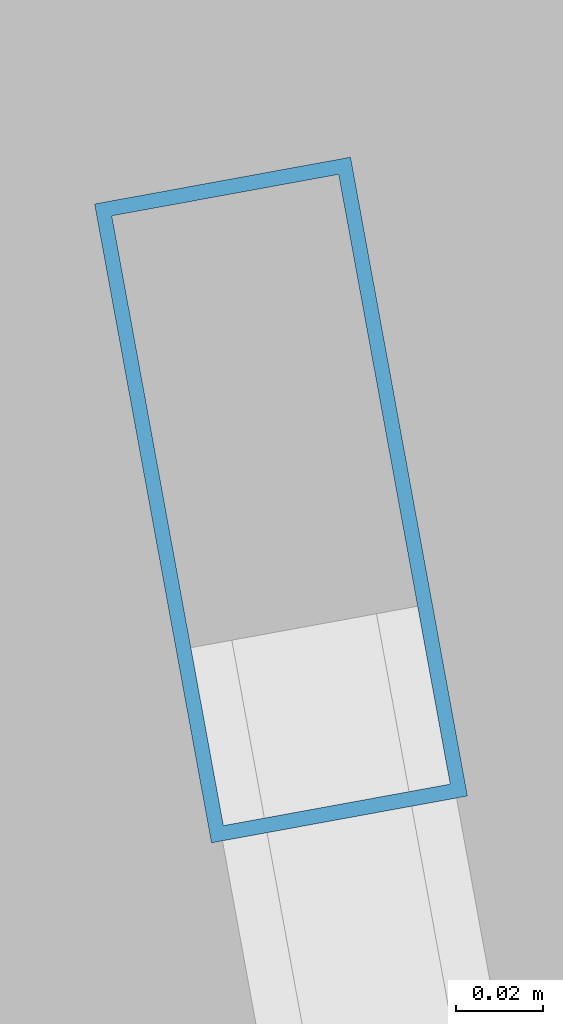
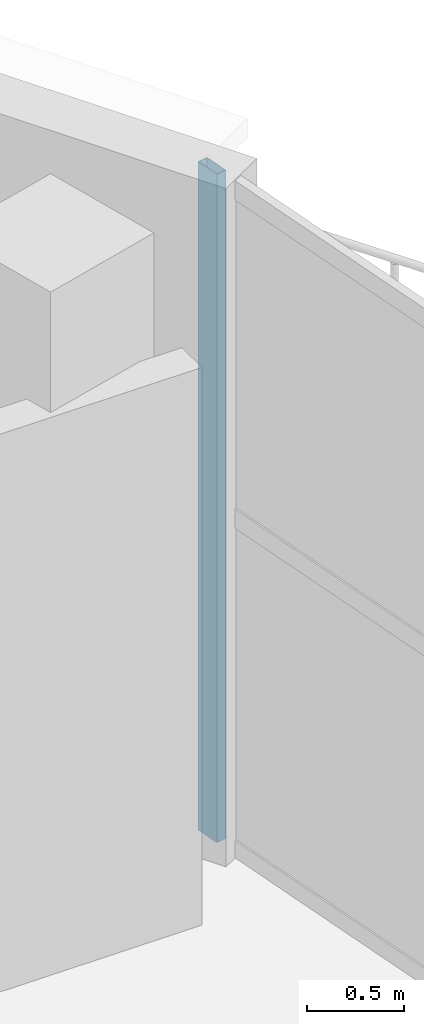
# One storey, part 57 of 107: 1 member, 1 element without a shape of its own.
"""IFC4 building model written with IfcOpenShell, lengths in metres."""

from ifc_helpers import new_model, si_unit, direction, frame, origin, origin_2d, place, context, subcontext, project, spatial, hollow_rectangle, extrude, material, layer, layer_set, material_profile, profile_set, type_object, element, aggregate, save


model = new_model("IFC4")

# Units and contexts
model_context = context("Model", 3, precision=1e-05, world=origin(), true_north=direction((0.0, 1.0)))
body_context = subcontext(model_context, "Body", "Model", "MODEL_VIEW")
ifc_project = project(units=[si_unit("LENGTHUNIT", "METRE"), si_unit("AREAUNIT", "SQUARE_METRE"), si_unit("VOLUMEUNIT", "CUBIC_METRE"), si_unit("PLANEANGLEUNIT", "RADIAN"), si_unit("MASSUNIT", "GRAM", prefix="KILO")], contexts=[model_context])

# Site, building, storey
site_placement = place(None, origin())
site = spatial("IfcSite", under=ifc_project, at=site_placement, CompositionType="ELEMENT")
building_placement = place(site_placement, origin())
building = spatial("IfcBuilding", under=site, at=building_placement, Name="Kalgoora Escarpment Arena", CompositionType="ELEMENT")
storey_placement = place(building_placement, frame((0.0, 0.0, 5.39990234375)))
storey = spatial("IfcBuildingStorey", under=building, at=storey_placement, Name="L01", CompositionType="ELEMENT", Elevation=5.39990234375)

# Curtain wall, member
ifc_material_1 = material(Name=" Champagne anodised aluminium & double-glazed low-E", Category="aluminium")
ifc_layer = layer(ifc_material_1, 0.166015625)
ifc_layer_set = layer_set([ifc_layer], Name="CW-UNIT-14")
curtain_wall_type = type_object("IfcCurtainWallType", Name="CW-UNIT-14", PredefinedType="NOTDEFINED", material=ifc_layer_set)
curtain_wall_placement = place(storey_placement, origin())
curtain_wall = element("IfcCurtainWall", 1, at=curtain_wall_placement, inside=storey, type_object=curtain_wall_type, Name="L01 unitised facade curtain wall 033", PredefinedType="NOTDEFINED")
ifc_material_2 = material(Name="Anodised aluminium 6063-T6", Category="aluminium")
ifc_material_profile = material_profile(ifc_material_2, hollow_rectangle(XDim=0.06005859375, YDim=0.14990234375, WallThickness=0.00341796875, at=origin_2d()))
ifc_profile_set = profile_set([ifc_material_profile], Name="Anodised aluminium 6063-T6")
member_type = type_object("IfcMemberType", Name="MEM-CW-MULL-150", PredefinedType="MULLION", material=ifc_profile_set)
member_placement = place(storey_placement, frame((176.322998046875, 80.15087890625, 0.02001953125), z_axis=(0.0, 0.0, 1.0), x_axis=(0.983670666616, 0.179977830966, 0.0)))
member = element("IfcMember", 2, at=member_placement, type_object=member_type, Name="CW-14 mullion 1", PredefinedType="MULLION", context=body_context, shape_type="SweptSolid", body=[
    extrude(hollow_rectangle(XDim=0.06005859375, YDim=0.14990234375, WallThickness=0.00341796875, at=origin_2d()), origin(), (0.0, 0.0, 1.0), 4.190185546875),
])
aggregate(curtain_wall, [member])

save(model, "model.ifc")
